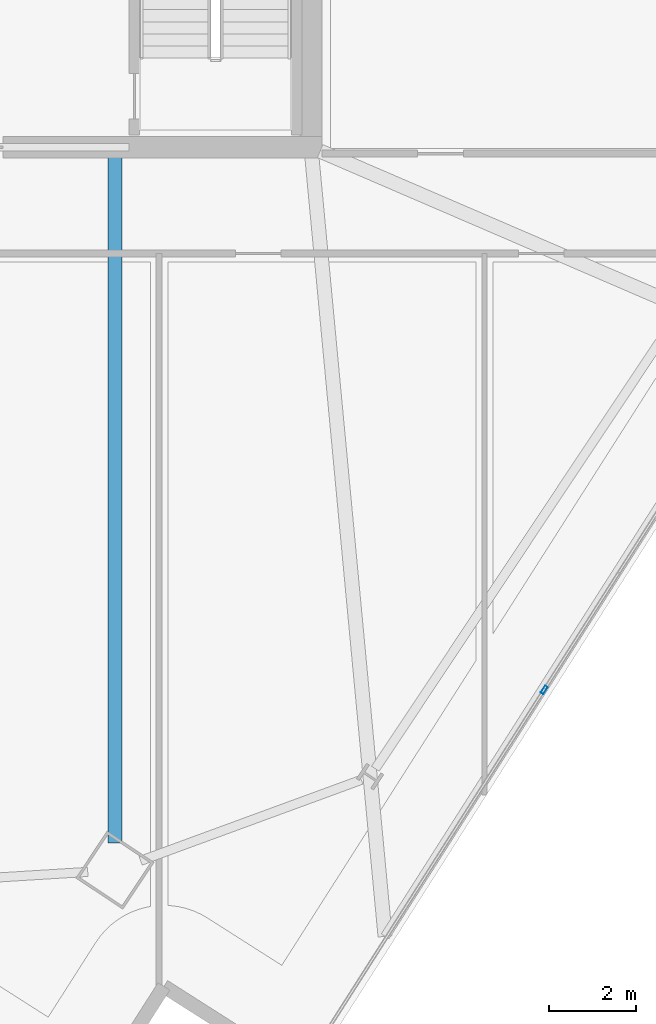
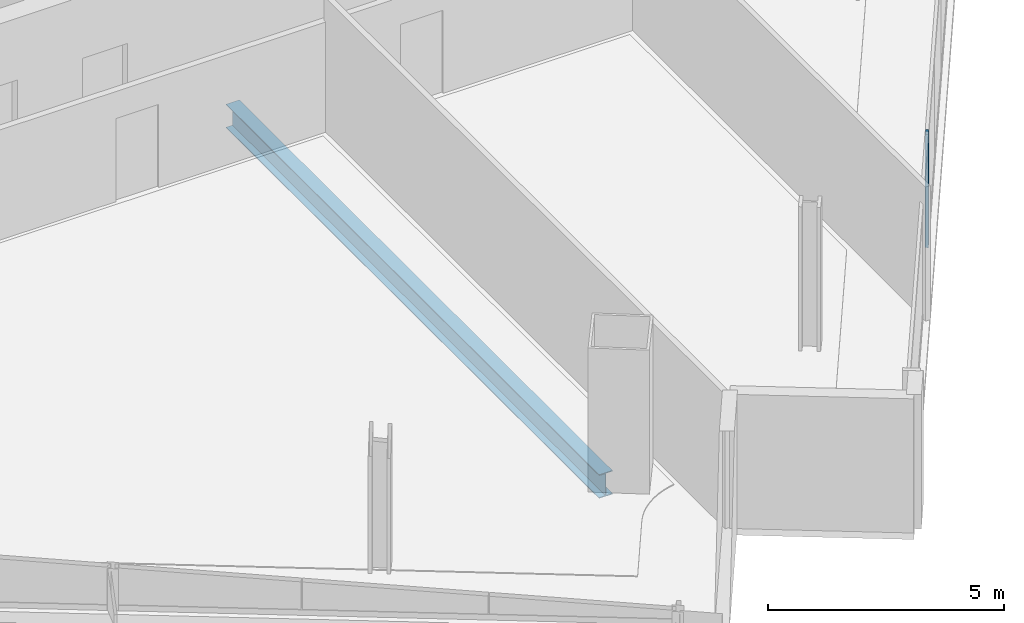
# One storey, part 9 of 30: 1 beam, 1 member, 1 element without a shape of its own.
"""IFC4 building model written with IfcOpenShell, lengths in metres."""

from ifc_helpers import new_model, si_unit, direction, frame, origin, origin_2d, place, context, subcontext, project, spatial, hollow_rectangle, i_section, extrude, material, material_profile, profile_set, type_object, element, aggregate, save


model = new_model("IFC4")

# Units and contexts
model_context = context("Model", 3, precision=1e-05, world=origin(), true_north=direction((0.0, 1.0)))
body_context = subcontext(model_context, "Body", "Model", "MODEL_VIEW")
ifc_project = project(units=[si_unit("LENGTHUNIT", "METRE"), si_unit("AREAUNIT", "SQUARE_METRE"), si_unit("VOLUMEUNIT", "CUBIC_METRE"), si_unit("PLANEANGLEUNIT", "RADIAN"), si_unit("MASSUNIT", "GRAM", prefix="KILO")], contexts=[model_context])

# Site, building, storey
site_placement = place(None, origin())
site = spatial("IfcSite", under=ifc_project, at=site_placement, CompositionType="ELEMENT")
building_placement = place(site_placement, origin())
building = spatial("IfcBuilding", under=site, at=building_placement, Name="Haldenkirk Collegiate Tower", CompositionType="ELEMENT")
storey_placement = place(building_placement, frame((0.0, 0.0, 220.949951171875)))
storey = spatial("IfcBuildingStorey", under=building, at=storey_placement, Name="L55", CompositionType="ELEMENT", Elevation=220.949951171875)

# Beam
ifc_material_1 = material(Name="Steel ASTM A992 Grade 50", Category="steel")
ifc_material_profile_1 = material_profile(ifc_material_1, i_section(OverallWidth=0.324951171875, OverallDepth=0.615966796875, WebThickness=0.013916015625, FlangeThickness=0.021484375, at=origin_2d()), Name="W24X117")
ifc_profile_set_1 = profile_set([ifc_material_profile_1], Name="Steel ASTM A992 Grade 50")
beam_type = type_object("IfcBeamType", Name="BM-GIRDER-W24X117", PredefinedType="BEAM", material=ifc_profile_set_1)
beam_placement = place(storey_placement, frame((40.482666015625, 1.962890625, -0.587890625), z_axis=(0.0, 1.0, 0.0), x_axis=(-1.0, 0.0, 0.0)))
element("IfcBeam", 1, at=beam_placement, inside=storey, type_object=beam_type, Name="L55 primary floor girder 01", PredefinedType="BEAM", context=body_context, shape_type="SweptSolid", body=[
    extrude(i_section(OverallWidth=0.324951171875, OverallDepth=0.615966796875, WebThickness=0.013916015625, FlangeThickness=0.021484375, at=origin_2d()), origin(), (0.0, 0.0, 1.0), 15.80712890625),
])

# Curtain wall, member
ifc_material_2 = material(Name="Anodised architectural bronze aluminium", Category="aluminium")
curtain_wall_type = type_object("IfcCurtainWallType", Name="CW-SYS2-CONCAVE", PredefinedType="USERDEFINED", material=ifc_material_2)
curtain_wall_placement = place(storey_placement, origin())
curtain_wall = element("IfcCurtainWall", 2, at=curtain_wall_placement, inside=storey, type_object=curtain_wall_type, Name="L55 South concave recessed bronze-anodised curtain wall", ObjectType="UNITISED CURTAIN WALL", PredefinedType="USERDEFINED")
ifc_material_profile_2 = material_profile(ifc_material_2, hollow_rectangle(XDim=0.074951171875, YDim=0.18994140625, WallThickness=0.0048828125, at=origin_2d()), Name="CW-MUL-02")
ifc_profile_set_2 = profile_set([ifc_material_profile_2], Name="Anodised architectural bronze aluminium")
member_type = type_object("IfcMemberType", Name="CW-MUL-02", PredefinedType="MULLION", material=ifc_profile_set_2)
member_placement = place(storey_placement, frame((50.375732421875, 5.48876953125, 0.0), z_axis=(0.0, 0.0, 1.0), x_axis=(0.843390453731, -0.5373011656, 0.0)))
member = element("IfcMember", 3, at=member_placement, type_object=member_type, Name="CW-02 mullion 4", PredefinedType="MULLION", context=body_context, shape_type="SweptSolid", body=[
    extrude(hollow_rectangle(XDim=0.074951171875, YDim=0.18994140625, WallThickness=0.0048828125, at=origin_2d()), origin(), (0.0, 0.0, 1.0), 2.927978515625),
])
aggregate(curtain_wall, [member])

save(model, "model.ifc")
